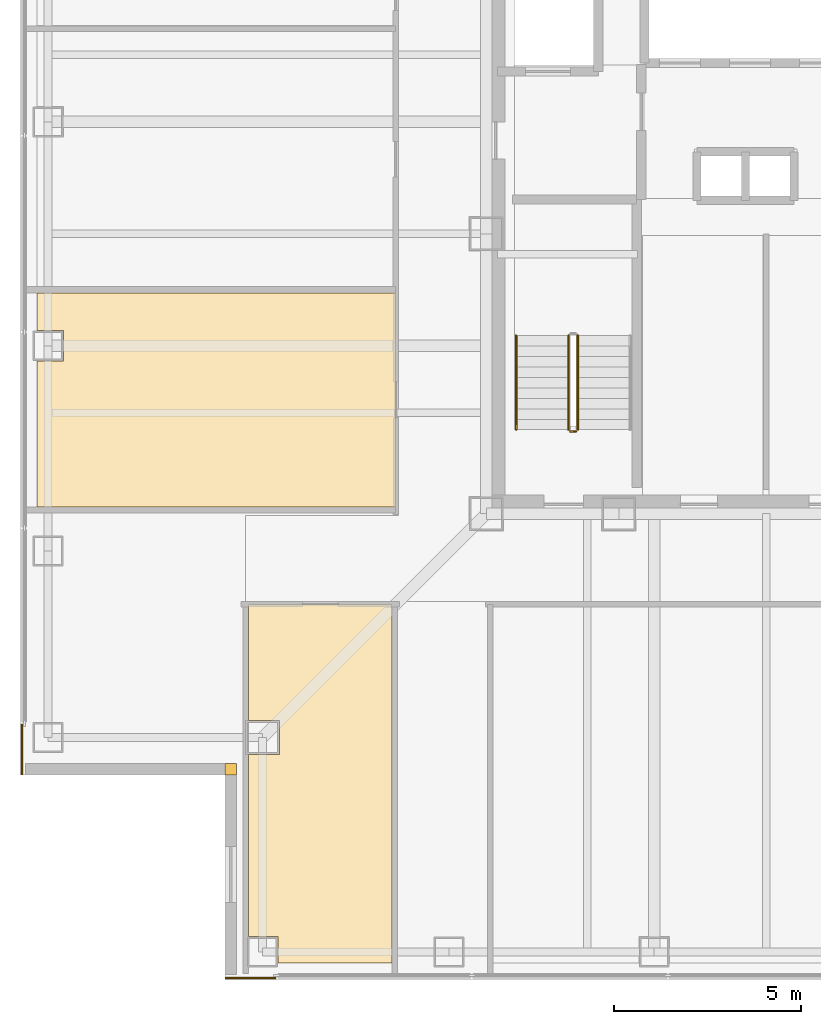
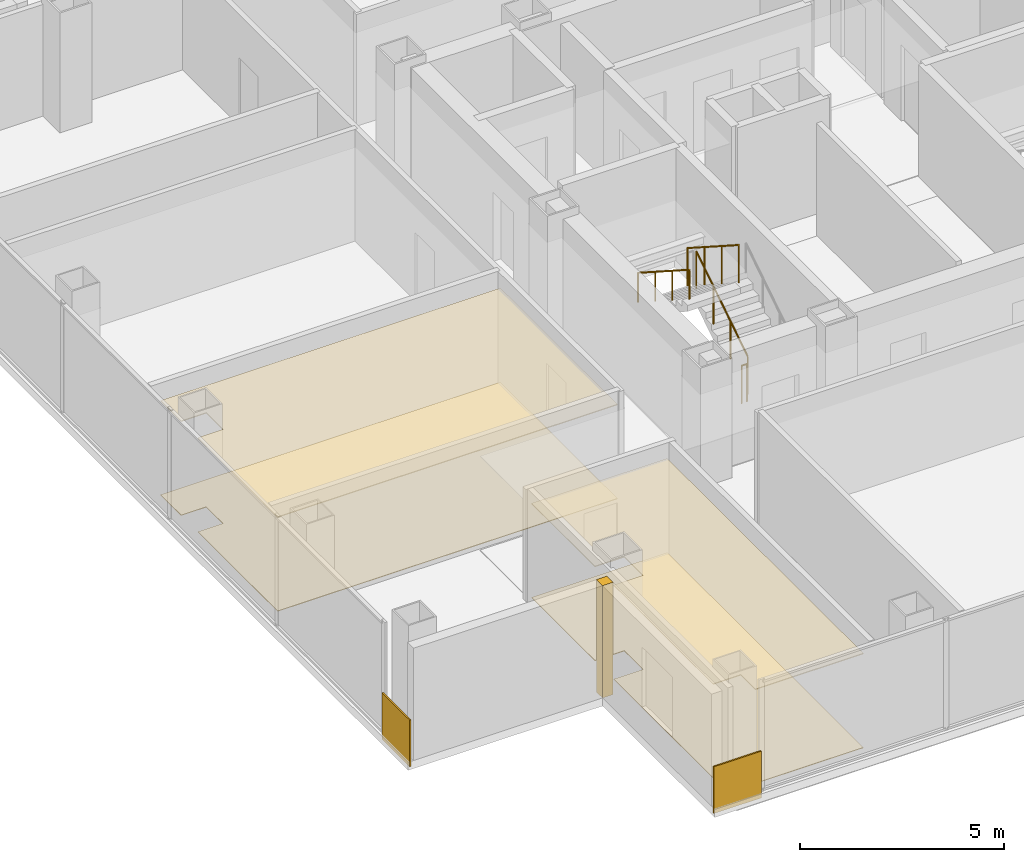
# One storey, part 12 of 17: 7 coverings, 4 railings.
"""IFC4 building model written with IfcOpenShell, lengths in metres."""

from ifc_helpers import new_model, si_unit, direction, frame, frame_2d, origin, origin_2d, place, context, subcontext, project, spatial, polyline, rectangle, circle, outline, extrude, material, layer, layer_set, type_object, element, save


model = new_model("IFC4")

# Units and contexts
model_context = context("Model", 3, precision=1e-05, world=origin(), true_north=direction((0.0, 1.0)))
body_context = subcontext(model_context, "Body", "Model", "MODEL_VIEW")
ifc_project = project(units=[si_unit("LENGTHUNIT", "METRE"), si_unit("AREAUNIT", "SQUARE_METRE"), si_unit("VOLUMEUNIT", "CUBIC_METRE"), si_unit("PLANEANGLEUNIT", "RADIAN"), si_unit("MASSUNIT", "GRAM", prefix="KILO")], contexts=[model_context])

# Site, building, storey
site_placement = place(None, origin())
site = spatial("IfcSite", under=ifc_project, at=site_placement, CompositionType="ELEMENT")
building_placement = place(site_placement, origin())
building = spatial("IfcBuilding", under=site, at=building_placement, Name="Trevonay Congress Spire", CompositionType="ELEMENT")
storey_placement = place(building_placement, frame((0.0, 0.0, 209.39990234375)))
storey = spatial("IfcBuildingStorey", under=building, at=storey_placement, Name="L54", CompositionType="ELEMENT", Elevation=209.39990234375)

# Coverings
ifc_material_1 = material(Name="Acoustic Mineral Fibre Board", Category="gypsum")
ifc_layer_1 = layer(ifc_material_1, 0.02490234375, Name="Acoustic Mineral Fibre Board")
ifc_layer_set_1 = layer_set([ifc_layer_1], Name="Acoustic Mineral Fibre Board")
covering_type_1 = type_object("IfcCoveringType", Name="COV-CEIL-ACOUSTIC", PredefinedType="CEILING", material=ifc_layer_set_1)
covering_1_placement = place(storey_placement, frame((0.0, 0.0, 2.81005859375)))
element("IfcCovering", 1, at=covering_1_placement, inside=storey, type_object=covering_type_1, Name="L54 Quiet Meditation Lounge acoustic suspended ceiling", PredefinedType="CEILING", context=body_context, shape_type="SweptSolid", body=[
    extrude(outline(polyline([(-13.8701171875, -9.929931640625), (-10.030029296875, -9.929931640625), (-10.030029296875, -19.550048828125), (-13.090087890625, -19.550048828125), (-13.090087890625, -18.840087890625), (-13.8701171875, -18.840087890625), (-13.8701171875, -13.9599609375), (-13.0400390625, -13.9599609375), (-13.0400390625, -13.0400390625), (-13.8701171875, -13.0400390625), (-13.8701171875, -9.929931640625)])), origin(), (0.0, 0.0, 1.0), 0.025146484375),
])
covering_2_placement = place(storey_placement, frame((0.0, 0.0, 2.81005859375)))
element("IfcCovering", 2, at=covering_2_placement, inside=storey, type_object=covering_type_1, Name="L54 Hydrotherapy Lounge acoustic suspended ceiling", PredefinedType="CEILING", context=body_context, shape_type="SweptSolid", body=[
    extrude(outline(polyline([(-19.550048828125, -1.580078125), (-9.929931640625, -1.580078125), (-9.929931640625, -7.320068359375), (-19.550048828125, -7.320068359375), (-19.550048828125, -3.409912109375), (-18.840087890625, -3.409912109375), (-18.840087890625, -2.590087890625), (-19.550048828125, -2.590087890625), (-19.550048828125, -1.580078125)])), origin(), (0.0, 0.0, 1.0), 0.025146484375),
])
ifc_material_2 = material(Name="Engineered Oak Flooring", Category="wood")
ifc_layer_2 = layer(ifc_material_2, 0.01806640625, Name="Engineered Oak Flooring")
ifc_layer_set_2 = layer_set([ifc_layer_2], Name="Engineered Oak Flooring")
covering_type_2 = type_object("IfcCoveringType", Name="COV-FLOOR-TIMBER", PredefinedType="FLOORING", material=ifc_layer_set_2)
covering_3_placement = place(storey_placement, origin())
element("IfcCovering", 3, at=covering_3_placement, inside=storey, type_object=covering_type_2, Name="L54 Quiet Meditation Lounge floor finish", PredefinedType="FLOORING", context=body_context, shape_type="SweptSolid", body=[
    extrude(outline(polyline([(-13.8701171875, -9.929931640625), (-10.030029296875, -9.929931640625), (-10.030029296875, -19.550048828125), (-13.090087890625, -19.550048828125), (-13.090087890625, -18.840087890625), (-13.8701171875, -18.840087890625), (-13.8701171875, -13.9599609375), (-13.0400390625, -13.9599609375), (-13.0400390625, -13.0400390625), (-13.8701171875, -13.0400390625), (-13.8701171875, -9.929931640625)])), origin(), (0.0, 0.0, 1.0), 0.01806640625),
])
covering_4_placement = place(storey_placement, origin())
element("IfcCovering", 4, at=covering_4_placement, inside=storey, type_object=covering_type_2, Name="L54 Hydrotherapy Lounge floor finish", PredefinedType="FLOORING", context=body_context, shape_type="SweptSolid", body=[
    extrude(outline(polyline([(-19.550048828125, -1.580078125), (-9.929931640625, -1.580078125), (-9.929931640625, -7.320068359375), (-19.550048828125, -7.320068359375), (-19.550048828125, -3.409912109375), (-18.840087890625, -3.409912109375), (-18.840087890625, -2.590087890625), (-19.550048828125, -2.590087890625), (-19.550048828125, -1.580078125)])), origin(), (0.0, 0.0, 1.0), 0.01806640625),
])
ifc_material_3 = material(Name="Pale Anodised Aluminium EN AW-6063-T6", Category="aluminium")
ifc_layer_3 = layer(ifc_material_3, 0.0400390625, Name="Pale Anodised Aluminium EN AW-6063-T6")
ifc_layer_set_3 = layer_set([ifc_layer_3], Name="Pale Anodised Aluminium EN AW-6063-T6")
covering_type_3 = type_object("IfcCoveringType", Name="COV-SPANDREL-PALE-METAL", PredefinedType="CLADDING", material=ifc_layer_set_3)
covering_5_placement = place(storey_placement, origin())
element("IfcCovering", 5, at=covering_5_placement, inside=storey, type_object=covering_type_3, Name="L54 SW re-entrant notch corner closure trim", PredefinedType="CLADDING", context=body_context, shape_type="SweptSolid", body=[
    extrude(outline(polyline([(-14.5, -14.5), (-14.199951171875, -14.5), (-14.199951171875, -14.199951171875), (-14.5, -14.199951171875), (-14.5, -14.5)])), origin(), (0.0, 0.0, 1.0), 3.360107421875),
])
for number, where, z_axis, x_axis, name in (
    (6, (-19.93994140625, -13.14990234375, -0.14990234375), (0.0, 0.0, 1.0), (0.0, -1.0, 0.0), "L54 SW corner pier spandrel cladding 1"),
    (7, (-13.14990234375, -19.93994140625, -0.14990234375), (0.0, 0.0, 1.0), (-1.0, 0.0, 0.0), "L54 SW corner pier spandrel cladding 2"),
):
    element("IfcCovering", number, at=place(storey_placement, frame(where, z_axis=z_axis, x_axis=x_axis)), inside=storey, type_object=covering_type_3, Name=name, PredefinedType="CLADDING", context=body_context, shape_type="SweptSolid", body=[
        extrude(rectangle(XDim=1.35009765625, YDim=0.0400390625, at=frame_2d((0.675048828125, 0.0))), origin(), (0.0, 0.0, 1.0), 1.39990234375),
    ])

# Railings
railing_type_1 = type_object("IfcRailingType", Name="RAL-STAIR-GUARD-110", PredefinedType="GUARDRAIL", material=ifc_material_3)
railing_1_placement = place(storey_placement, frame((-5.050048828125, -5.25, 0.18017578125)))
element("IfcRailing", 8, at=railing_1_placement, inside=storey, type_object=railing_type_1, Name="L54 ST-1 stair guard 1", PredefinedType="GUARDRAIL", context=body_context, shape_type="SweptSolid", body=[
    extrude(circle(Radius=0.02392578125, at=origin_2d()), frame((0.0, 0.0, 1.1259765625), z_axis=(0.0, 0.841199657755, 0.540724639528), x_axis=(-1.0, 0.0, 0.0)), (0.0, 0.0, 1.0), 2.995849609375),
    extrude(circle(Radius=0.02099609375, at=origin_2d()), origin(), (0.0, 0.0, 1.0), 1.101806640625),
    extrude(circle(Radius=0.02099609375, at=origin_2d()), frame((0.0, 0.840087890625, 0.5400390625)), (0.0, 0.0, 1.0), 1.101806640625),
    extrude(circle(Radius=0.02099609375, at=origin_2d()), frame((0.0, 1.679931640625, 1.079833984375)), (0.0, 0.0, 1.0), 1.101806640625),
    extrude(circle(Radius=0.02099609375, at=origin_2d()), frame((0.0, 2.52001953125, 1.619873046875)), (0.0, 0.0, 1.0), 1.101806640625),
])
railing_2_placement = place(storey_placement, frame((-5.300048828125, -2.72998046875, 1.97998046875)))
element("IfcRailing", 9, at=railing_2_placement, inside=storey, type_object=railing_type_1, Name="L54 ST-1 stair guard 3", PredefinedType="GUARDRAIL", context=body_context, shape_type="SweptSolid", body=[
    extrude(circle(Radius=0.02392578125, at=origin_2d()), frame((0.0, 0.0, 1.1259765625), z_axis=(0.0, -0.841162588446, 0.540782303519), x_axis=(1.0, 0.0, 0.0)), (0.0, 0.0, 1.0), 2.995849609375),
    extrude(circle(Radius=0.02099609375, at=origin_2d()), origin(), (0.0, 0.0, 1.0), 1.101806640625),
    extrude(circle(Radius=0.02099609375, at=origin_2d()), frame((0.0, -0.840087890625, 0.5400390625)), (0.0, 0.0, 1.0), 1.101806640625),
    extrude(circle(Radius=0.02099609375, at=origin_2d()), frame((0.0, -1.679931640625, 1.080078125)), (0.0, 0.0, 1.0), 1.101806640625),
    extrude(circle(Radius=0.02099609375, at=origin_2d()), frame((0.0, -2.52001953125, 1.6201171875)), (0.0, 0.0, 1.0), 1.101806640625),
])
railing_3_placement = place(storey_placement, frame((-5.10009765625, -5.300048828125, 0.0)))
element("IfcRailing", 10, at=railing_3_placement, inside=storey, type_object=railing_type_1, Name="L54 ST-1 stair guard 4", PredefinedType="GUARDRAIL", context=body_context, shape_type="SweptSolid", body=[
    extrude(circle(Radius=0.02392578125, at=origin_2d()), frame((0.0, 0.0, 1.1259765625), z_axis=(-1.0, 0.0, 0.0), x_axis=(0.0, -1.0, 0.0)), (0.0, 0.0, 1.0), 0.14990234375),
    extrude(circle(Radius=0.02099609375, at=origin_2d()), origin(), (0.0, 0.0, 1.0), 1.101806640625),
    extrude(circle(Radius=0.02099609375, at=origin_2d()), frame((-0.14990234375, 0.0, 0.0)), (0.0, 0.0, 1.0), 1.101806640625),
])
railing_type_2 = type_object("IfcRailingType", Name="RAL-STAIR-HANDRAIL", PredefinedType="HANDRAIL", material=ifc_material_3)
railing_4_placement = place(storey_placement, frame((-6.699951171875, -2.72998046875, 1.97998046875)))
element("IfcRailing", 11, at=railing_4_placement, inside=storey, type_object=railing_type_2, Name="L54 ST-1 stair handrail 2", PredefinedType="HANDRAIL", context=body_context, shape_type="SweptSolid", body=[
    extrude(circle(Radius=0.02392578125, at=origin_2d()), frame((0.0, 0.0, 0.8759765625), z_axis=(0.0, -0.841162588446, 0.540782303519), x_axis=(1.0, 0.0, 0.0)), (0.0, 0.0, 1.0), 2.995849609375),
    extrude(circle(Radius=0.02099609375, at=origin_2d()), origin(), (0.0, 0.0, 1.0), 0.851806640625),
    extrude(circle(Radius=0.02099609375, at=origin_2d()), frame((0.0, -0.840087890625, 0.5400390625)), (0.0, 0.0, 1.0), 0.851806640625),
    extrude(circle(Radius=0.02099609375, at=origin_2d()), frame((0.0, -1.679931640625, 1.080078125)), (0.0, 0.0, 1.0), 0.851806640625),
    extrude(circle(Radius=0.02099609375, at=origin_2d()), frame((0.0, -2.52001953125, 1.6201171875)), (0.0, 0.0, 1.0), 0.851806640625),
])

save(model, "model.ifc")
